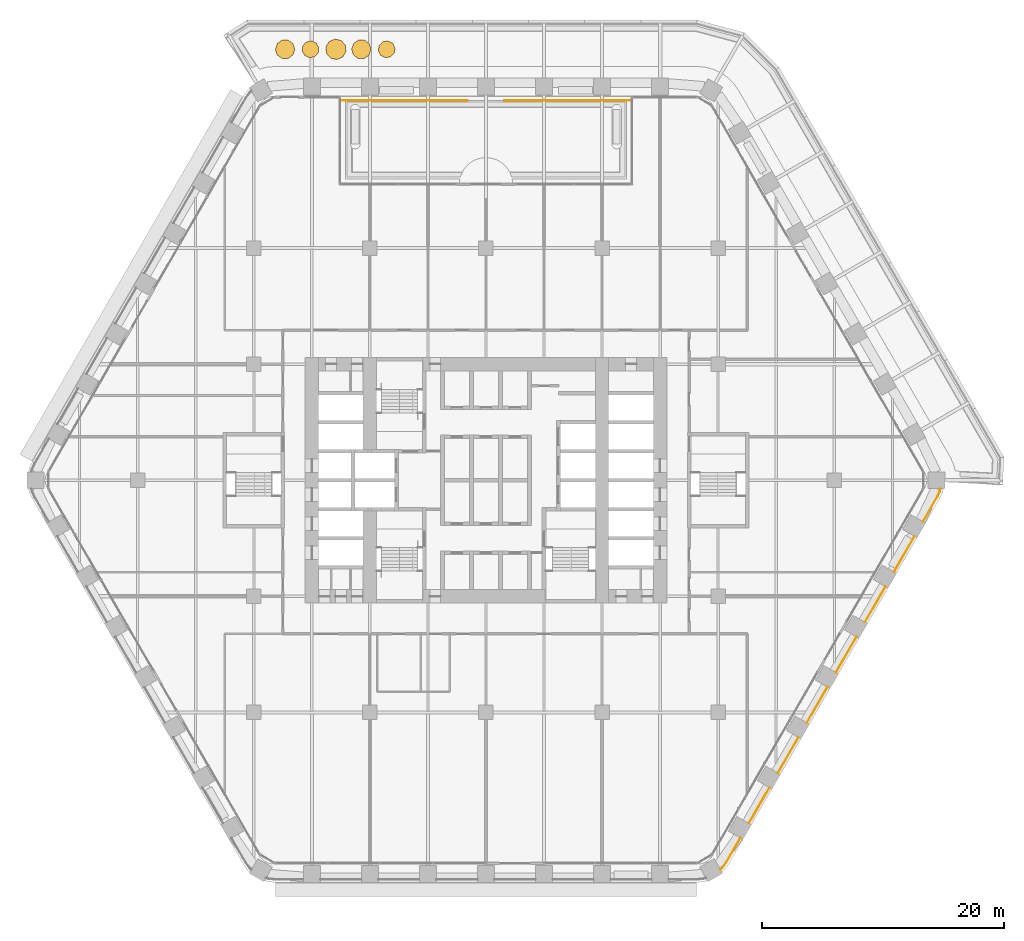
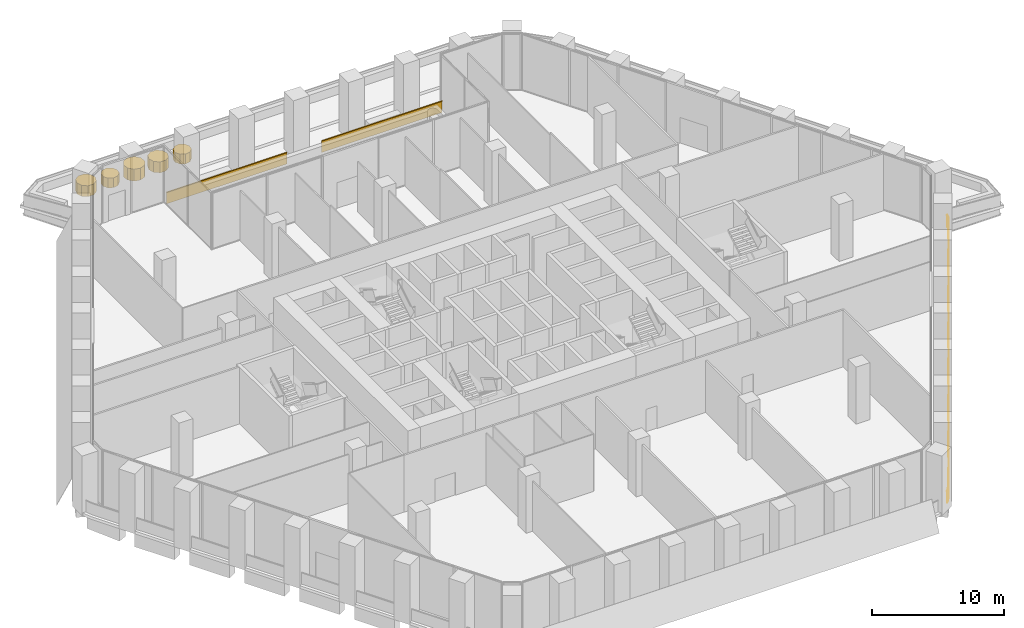
# One storey, part 30 of 30: 5 coverings, 2 railings.
"""IFC4 building model written with IfcOpenShell, lengths in metres."""

from ifc_helpers import new_model, si_unit, direction, frame, frame_2d, origin, origin_2d, place, context, subcontext, project, spatial, polyline, rectangle, outline, extrude, material, layer, layer_set, type_object, element, save


model = new_model("IFC4")

# Units and contexts
model_context = context("Model", 3, precision=1e-05, world=origin(), true_north=direction((0.0, 1.0)))
body_context = subcontext(model_context, "Body", "Model", "MODEL_VIEW")
ifc_project = project(units=[si_unit("LENGTHUNIT", "METRE"), si_unit("AREAUNIT", "SQUARE_METRE"), si_unit("VOLUMEUNIT", "CUBIC_METRE"), si_unit("PLANEANGLEUNIT", "RADIAN"), si_unit("MASSUNIT", "GRAM", prefix="KILO")], contexts=[model_context])

# Site, building, storey
site_placement = place(None, origin())
site = spatial("IfcSite", under=ifc_project, at=site_placement, CompositionType="ELEMENT")
building_placement = place(site_placement, origin())
building = spatial("IfcBuilding", under=site, at=building_placement, Name="Kolab Exchange Tower", CompositionType="ELEMENT")
storey_placement = place(building_placement, frame((0.0, 0.0, 38.89990234375)))
storey = spatial("IfcBuildingStorey", under=building, at=storey_placement, Name="L07", CompositionType="ELEMENT", Elevation=38.89990234375)

# Coverings
ifc_material_1 = material(Name="Flowering shrub planting", Category="soil")
ifc_layer_1 = layer(ifc_material_1, 1.0)
ifc_layer_set_1 = layer_set([ifc_layer_1], Name="Flowering shrub planting")
covering_type_1 = type_object("IfcCoveringType", Name="FLOWERING SHRUB PLANTING", PredefinedType="USERDEFINED", material=ifc_layer_set_1)
covering_1_placement = place(storey_placement, frame((0.0, 0.0, 0.25)))
element("IfcCovering", 1, at=covering_1_placement, inside=storey, type_object=covering_type_1, Name="Flowering shrub", ObjectType="PLANTING", PredefinedType="USERDEFINED", context=body_context, shape_type="SweptSolid", body=[
    extrude(outline(polyline([(-15.809814453125, 35.63232421875), (-15.962646484375, 36.1025390625), (-16.362548828125, 36.39306640625), (-16.857177734375, 36.39306640625), (-17.257080078125, 36.1025390625), (-17.409912109375, 35.63232421875), (-17.257080078125, 35.162109375), (-16.857177734375, 34.87158203125), (-16.362548828125, 34.87158203125), (-15.962646484375, 35.162109375), (-15.809814453125, 35.63232421875)])), origin(), (0.0, 0.0, 1.0), 1.0),
])
covering_2_placement = place(storey_placement, frame((0.0, 0.0, 0.25)))
element("IfcCovering", 2, at=covering_2_placement, inside=storey, type_object=covering_type_1, Name="Flowering shrub", ObjectType="PLANTING", PredefinedType="USERDEFINED", context=body_context, shape_type="SweptSolid", body=[
    extrude(outline(polyline([(-9.649658203125, 36.083984375), (-10.041259765625, 36.3857421875), (-10.535400390625, 36.39990234375), (-10.943603515625, 36.12060546875), (-11.109619140625, 35.655029296875), (-10.97021484375, 35.1806640625), (-10.57861328125, 34.878662109375), (-10.084228515625, 34.86474609375), (-9.67626953125, 35.14404296875), (-9.51025390625, 35.609619140625), (-9.649658203125, 36.083984375)])), origin(), (0.0, 0.0, 1.0), 1.0),
])

# Railings
ifc_material_2 = material(Name="Steel S235", Category="steel")
railing_type = type_object("IfcRailingType", Name="GUARD 1100 GLASS BALUSTRADE AND STEEL TOP RAIL", PredefinedType="GUARDRAIL", material=ifc_material_2)
railing_1_placement = place(storey_placement, frame((19.3916015625, -32.2060546875, 0.0)))
element("IfcRailing", 3, at=railing_1_placement, inside=storey, type_object=railing_type, Name="Guard", PredefinedType="GUARDRAIL", context=body_context, shape_type="SweptSolid", body=[
    extrude(rectangle(XDim=0.05, YDim=0.05, at=origin_2d()), frame((0.0, 0.0, 1.0751953125), z_axis=(0.706634904947, 0.707578342737, 0.0), x_axis=(-0.707578342737, 0.706634904947, 0.0)), (0.0, 0.0, 1.0), 0.2587890625),
    extrude(rectangle(XDim=0.012, YDim=1.05009765625, at=frame_2d((0.0, 0.525146484375))), frame((0.0, 0.0, 0.0), z_axis=(0.706634904947, 0.707578342737, 0.0), x_axis=(-0.707578342737, 0.706634904947, 0.0)), (0.0, 0.0, 1.0), 0.2587890625),
    extrude(rectangle(XDim=0.05, YDim=0.05, at=origin_2d()), frame((0.182861328125, 0.18310546875, 1.0751953125), z_axis=(0.573940749815, 0.818896828485, 0.0), x_axis=(-0.818896828485, 0.573940749815, 0.0)), (0.0, 0.0, 1.0), 0.4794921875),
    extrude(rectangle(XDim=0.012, YDim=1.05009765625, at=frame_2d((0.0, 0.525146484375))), frame((0.182861328125, 0.18310546875, 0.0), z_axis=(0.573940749815, 0.818896828485, 0.0), x_axis=(-0.818896828485, 0.573940749815, 0.0)), (0.0, 0.0, 1.0), 0.4794921875),
    extrude(rectangle(XDim=0.05, YDim=0.05, at=origin_2d()), frame((0.4580078125, 0.57568359375, 1.0751953125), z_axis=(0.499942602326, 0.866058539811, 0.0), x_axis=(-0.866058539811, 0.499942602326, 0.0)), (0.0, 0.0, 1.0), 2.367919921875),
    extrude(rectangle(XDim=0.012, YDim=1.05009765625, at=frame_2d((0.0, 0.525146484375))), frame((0.4580078125, 0.57568359375, 0.0), z_axis=(0.499942602326, 0.866058539811, 0.0), x_axis=(-0.866058539811, 0.499942602326, 0.0)), (0.0, 0.0, 1.0), 2.367919921875),
    extrude(rectangle(XDim=0.05, YDim=0.05, at=origin_2d()), frame((2.341796875, 3.8388671875, 1.0751953125), z_axis=(0.500062241894, 0.865989465428, 0.0), x_axis=(-0.865989465428, 0.500062241894, 0.0)), (0.0, 0.0, 1.0), 3.39990234375),
    extrude(rectangle(XDim=0.012, YDim=1.05009765625, at=frame_2d((0.0, 0.525146484375))), frame((2.341796875, 3.8388671875, 0.0), z_axis=(0.500062241894, 0.865989465428, 0.0), x_axis=(-0.865989465428, 0.500062241894, 0.0)), (0.0, 0.0, 1.0), 3.39990234375),
    extrude(rectangle(XDim=0.05, YDim=0.05, at=origin_2d()), frame((4.741943359375, 7.995849609375, 1.0751953125), z_axis=(0.500008388397, 0.866020560687, 0.0), x_axis=(-0.866020560687, 0.500008388397, 0.0)), (0.0, 0.0, 1.0), 3.39990234375),
    extrude(rectangle(XDim=0.012, YDim=1.05009765625, at=frame_2d((0.0, 0.525146484375))), frame((4.741943359375, 7.995849609375, 0.0), z_axis=(0.500008388397, 0.866020560687, 0.0), x_axis=(-0.866020560687, 0.500008388397, 0.0)), (0.0, 0.0, 1.0), 3.39990234375),
    extrude(rectangle(XDim=0.05, YDim=0.05, at=origin_2d()), frame((7.141845703125, 12.152587890625, 1.0751953125), z_axis=(0.499977295307, 0.866038511948, 0.0), x_axis=(-0.866038511948, 0.499977295307, 0.0)), (0.0, 0.0, 1.0), 3.400146484375),
    extrude(rectangle(XDim=0.012, YDim=1.05009765625, at=frame_2d((0.0, 0.525146484375))), frame((7.141845703125, 12.152587890625, 0.0), z_axis=(0.499977295307, 0.866038511948, 0.0), x_axis=(-0.866038511948, 0.499977295307, 0.0)), (0.0, 0.0, 1.0), 3.400146484375),
    extrude(rectangle(XDim=0.05, YDim=0.05, at=origin_2d()), frame((9.5419921875, 16.3095703125, 1.0751953125), z_axis=(0.499977295307, 0.866038511948, 0.0), x_axis=(-0.866038511948, 0.499977295307, 0.0)), (0.0, 0.0, 1.0), 3.400146484375),
    extrude(rectangle(XDim=0.012, YDim=1.05009765625, at=frame_2d((0.0, 0.525146484375))), frame((9.5419921875, 16.3095703125, 0.0), z_axis=(0.499977295307, 0.866038511948, 0.0), x_axis=(-0.866038511948, 0.499977295307, 0.0)), (0.0, 0.0, 1.0), 3.400146484375),
    extrude(rectangle(XDim=0.05, YDim=0.05, at=origin_2d()), frame((11.94189453125, 20.466552734375, 1.0751953125), z_axis=(0.500008388397, 0.866020560687, 0.0), x_axis=(-0.866020560687, 0.500008388397, 0.0)), (0.0, 0.0, 1.0), 3.39990234375),
    extrude(rectangle(XDim=0.012, YDim=1.05009765625, at=frame_2d((0.0, 0.525146484375))), frame((11.94189453125, 20.466552734375, 0.0), z_axis=(0.500008388397, 0.866020560687, 0.0), x_axis=(-0.866020560687, 0.500008388397, 0.0)), (0.0, 0.0, 1.0), 3.39990234375),
    extrude(rectangle(XDim=0.05, YDim=0.05, at=origin_2d()), frame((14.341796875, 24.62353515625, 1.0751953125), z_axis=(0.500062241894, 0.865989465428, 0.0), x_axis=(-0.865989465428, 0.500062241894, 0.0)), (0.0, 0.0, 1.0), 3.39990234375),
    extrude(rectangle(XDim=0.012, YDim=1.05009765625, at=frame_2d((0.0, 0.525146484375))), frame((14.341796875, 24.62353515625, 0.0), z_axis=(0.500062241894, 0.865989465428, 0.0), x_axis=(-0.865989465428, 0.500062241894, 0.0)), (0.0, 0.0, 1.0), 3.39990234375),
    extrude(rectangle(XDim=0.05, YDim=0.05, at=origin_2d()), frame((16.741943359375, 28.7802734375, 1.0751953125), z_axis=(0.499942602326, 0.866058539811, 0.0), x_axis=(-0.866058539811, 0.499942602326, 0.0)), (0.0, 0.0, 1.0), 2.367919921875),
    extrude(rectangle(XDim=0.012, YDim=1.05009765625, at=frame_2d((0.0, 0.525146484375))), frame((16.741943359375, 28.7802734375, 0.0), z_axis=(0.499942602326, 0.866058539811, 0.0), x_axis=(-0.866058539811, 0.499942602326, 0.0)), (0.0, 0.0, 1.0), 2.367919921875),
    extrude(rectangle(XDim=0.05, YDim=0.05, at=origin_2d()), frame((17.92578125, 30.8310546875, 1.0751953125), z_axis=(0.422801802984, 0.906222177721, 0.0), x_axis=(-0.906222177721, 0.422801802984, 0.0)), (0.0, 0.0, 1.0), 0.479248046875),
    extrude(rectangle(XDim=0.012, YDim=1.05009765625, at=frame_2d((0.0, 0.525146484375))), frame((17.92578125, 30.8310546875, 0.0), z_axis=(0.422801802984, 0.906222177721, 0.0), x_axis=(-0.906222177721, 0.422801802984, 0.0)), (0.0, 0.0, 1.0), 0.479248046875),
    extrude(rectangle(XDim=0.05, YDim=0.05, at=origin_2d()), frame((18.12841796875, 31.265380859375, 1.0751953125), z_axis=(0.258484584798, 0.966015382601, 0.0), x_axis=(-0.966015382601, 0.258484584798, 0.0)), (0.0, 0.0, 1.0), 0.2587890625),
    extrude(rectangle(XDim=0.012, YDim=1.05009765625, at=frame_2d((0.0, 0.525146484375))), frame((18.12841796875, 31.265380859375, 0.0), z_axis=(0.258484584798, 0.966015382601, 0.0), x_axis=(-0.966015382601, 0.258484584798, 0.0)), (0.0, 0.0, 1.0), 0.2587890625),
])
railing_2_placement = place(storey_placement, frame((-12.0400390625, 31.4052734375, 0.0)))
element("IfcRailing", 4, at=railing_2_placement, inside=storey, type_object=railing_type, Name="Terrace guard", PredefinedType="GUARDRAIL", context=body_context, shape_type="SweptSolid", body=[
    extrude(rectangle(XDim=0.05, YDim=0.05, at=origin_2d()), frame((0.0, 0.0, 1.0751953125), z_axis=(1.0, 0.0, 0.0), x_axis=(0.0, 1.0, 0.0)), (0.0, 0.0, 1.0), 10.5400390625),
    extrude(rectangle(XDim=0.012, YDim=1.05009765625, at=frame_2d((0.0, 0.525146484375))), frame((0.0, 0.0, 0.0), z_axis=(1.0, 0.0, 0.0), x_axis=(0.0, 1.0, 0.0)), (0.0, 0.0, 1.0), 10.5400390625),
    extrude(rectangle(XDim=0.05, YDim=0.05, at=origin_2d()), frame((24.080078125, 0.0, 1.0751953125), z_axis=(-1.0, 0.0, 0.0), x_axis=(0.0, -1.0, 0.0)), (0.0, 0.0, 1.0), 10.5400390625),
    extrude(rectangle(XDim=0.012, YDim=1.05009765625, at=frame_2d((0.0, 0.525146484375))), frame((24.080078125, 0.0, 0.0), z_axis=(-1.0, 0.0, 0.0), x_axis=(0.0, -1.0, 0.0)), (0.0, 0.0, 1.0), 10.5400390625),
])

# Coverings
ifc_material_3 = material(Name="Dense shrub planting", Category="soil")
ifc_layer_2 = layer(ifc_material_3, 1.39990234375)
ifc_layer_set_2 = layer_set([ifc_layer_2], Name="Dense shrub planting")
covering_type_2 = type_object("IfcCoveringType", Name="PLANTED TRELLIS SCREEN AND SHRUB BED", PredefinedType="USERDEFINED", material=ifc_layer_set_2)
covering_3_placement = place(storey_placement, frame((0.0, 0.0, 0.25)))
element("IfcCovering", 5, at=covering_3_placement, inside=storey, type_object=covering_type_2, Name="Shrub bed", ObjectType="PLANTING", PredefinedType="USERDEFINED", context=body_context, shape_type="SweptSolid", body=[
    extrude(outline(polyline([(-13.82373046875, 35.771484375), (-14.03662109375, 36.148193359375), (-14.43017578125, 36.327880859375), (-14.85400390625, 36.24169921875), (-15.146728515625, 35.923095703125), (-15.19580078125, 35.4931640625), (-14.983154296875, 35.116455078125), (-14.589599609375, 34.936767578125), (-14.16552734375, 35.022705078125), (-13.873046875, 35.341552734375), (-13.82373046875, 35.771484375)])), origin(), (0.0, 0.0, 1.0), 0.900146484375),
])
covering_4_placement = place(storey_placement, frame((0.0, 0.0, 0.25)))
element("IfcCovering", 6, at=covering_4_placement, inside=storey, type_object=covering_type_2, Name="Shrub bed", ObjectType="PLANTING", PredefinedType="USERDEFINED", context=body_context, shape_type="SweptSolid", body=[
    extrude(outline(polyline([(-11.626953125, 35.96337890625), (-11.970947265625, 36.3603515625), (-12.482666015625, 36.479248046875), (-12.966552734375, 36.274658203125), (-13.23779296875, 35.82470703125), (-13.19287109375, 35.30126953125), (-12.8486328125, 34.904296875), (-12.3369140625, 34.785400390625), (-11.85302734375, 34.989990234375), (-11.58203125, 35.43994140625), (-11.626953125, 35.96337890625)])), origin(), (0.0, 0.0, 1.0), 1.10009765625),
])
covering_5_placement = place(storey_placement, frame((0.0, 0.0, 0.25)))
element("IfcCovering", 7, at=covering_5_placement, inside=storey, type_object=covering_type_2, Name="Shrub bed", ObjectType="PLANTING", PredefinedType="USERDEFINED", context=body_context, shape_type="SweptSolid", body=[
    extrude(outline(polyline([(-7.72216796875, 36.134521484375), (-8.1103515625, 36.3251953125), (-8.53662109375, 36.251220703125), (-8.838134765625, 35.94091796875), (-8.899658203125, 35.5126953125), (-8.697509765625, 35.130126953125), (-8.309326171875, 34.939453125), (-7.883056640625, 35.013427734375), (-7.58154296875, 35.32373046875), (-7.520263671875, 35.751953125), (-7.72216796875, 36.134521484375)])), origin(), (0.0, 0.0, 1.0), 0.900146484375),
])

save(model, "model.ifc")
